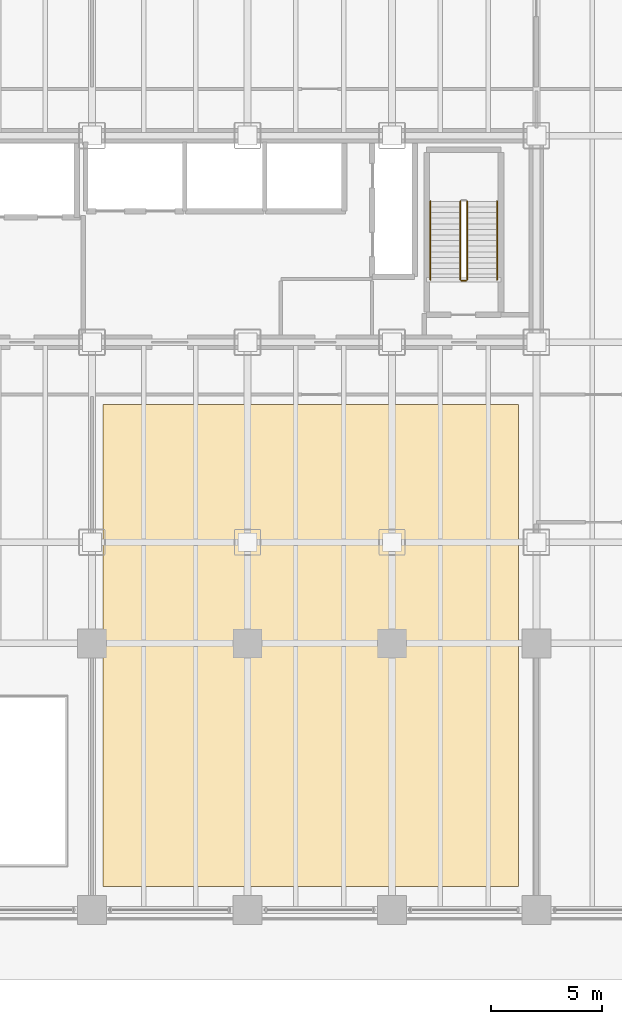
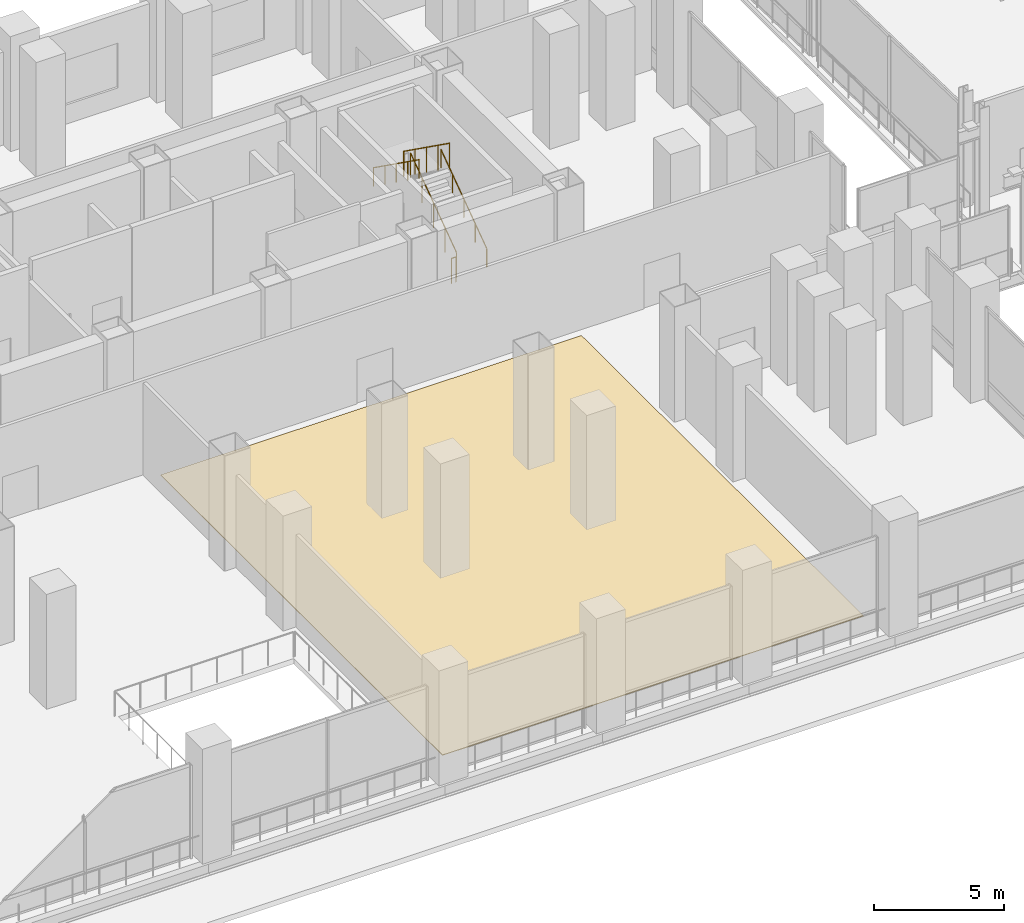
# One storey, part 26 of 32: 5 railings, 1 covering.
"""IFC4 building model written with IfcOpenShell, lengths in metres."""

from ifc_helpers import new_model, si_unit, direction, frame, origin, origin_2d, place, context, subcontext, project, spatial, polyline, circle, outline, extrude, material, layer, layer_set, type_object, element, save


model = new_model("IFC4")

# Units and contexts
model_context = context("Model", 3, precision=1e-05, world=origin(), true_north=direction((0.0, 1.0)))
body_context = subcontext(model_context, "Body", "Model", "MODEL_VIEW")
ifc_project = project(units=[si_unit("LENGTHUNIT", "METRE"), si_unit("AREAUNIT", "SQUARE_METRE"), si_unit("VOLUMEUNIT", "CUBIC_METRE"), si_unit("PLANEANGLEUNIT", "RADIAN"), si_unit("MASSUNIT", "GRAM", prefix="KILO")], contexts=[model_context])

# Site, building, storey
site_placement = place(None, origin())
site = spatial("IfcSite", under=ifc_project, at=site_placement, CompositionType="ELEMENT")
building_placement = place(site_placement, origin())
building = spatial("IfcBuilding", under=site, at=building_placement, Name="Noeulbin Bourse Tower", CompositionType="ELEMENT")
storey_placement = place(building_placement, frame((0.0, 0.0, 5.800048828125)))
storey = spatial("IfcBuildingStorey", under=building, at=storey_placement, Name="L02", CompositionType="ELEMENT", Elevation=5.800048828125)

# Covering
ifc_material_1 = material(Name="Honed Geumjeong Granite Paving", Category="masonry")
ifc_layer_1 = layer(ifc_material_1, 0.030029296875)
ifc_layer_set_1 = layer_set([ifc_layer_1], Name="Honed Geumjeong Granite Paving")
covering_type = type_object("IfcCoveringType", Name="COV-FLR-STN", PredefinedType="FLOORING", material=ifc_layer_set_1)
covering_placement = place(storey_placement, origin())
element("IfcCovering", 1, at=covering_placement, inside=storey, type_object=covering_type, Name="Granite Concourse Flooring L02", PredefinedType="FLOORING", context=body_context, shape_type="SweptSolid", body=[
    extrude(outline(polyline([(24.5, 4.5), (43.199951171875, 4.5), (43.199951171875, 26.199951171875), (24.5, 26.199951171875), (24.5, 4.5)])), origin(), (0.0, 0.0, 1.0), 0.030029296875),
])

# Railings
ifc_material_2 = material(Name="Painted Tubular Steel S355", Category="steel")
ifc_layer_2 = layer(ifc_material_2, 0.048095703125)
ifc_layer_set_2 = layer_set([ifc_layer_2], Name="Painted Tubular Steel S355")
railing_type_1 = type_object("IfcRailingType", Name="RLG-STR-GRD", PredefinedType="GUARDRAIL", material=ifc_layer_set_2)
railing_1_placement = place(storey_placement, frame((40.8798828125, 31.81005859375, 0.179931640625)))
element("IfcRailing", 2, at=railing_1_placement, inside=storey, type_object=railing_type_1, Name="L02 ST-2 stair guard 1", PredefinedType="GUARDRAIL", context=body_context, shape_type="SweptSolid", body=[
    extrude(circle(Radius=0.02392578125, at=origin_2d()), frame((0.0, 0.0, 1.17578125), z_axis=(0.0, 0.813718251284, 0.581259501021), x_axis=(-1.0, 0.0, 0.0)), (0.0, 0.0, 1.0), 4.33544921875),
    extrude(circle(Radius=0.02099609375, at=origin_2d()), origin(), (0.0, 0.0, 1.0), 1.15185546875),
    extrude(circle(Radius=0.02099609375, at=origin_2d()), frame((0.0, 0.8818359375, 0.6298828125)), (0.0, 0.0, 1.0), 1.15185546875),
    extrude(circle(Radius=0.02099609375, at=origin_2d()), frame((0.0, 1.763916015625, 1.260009765625)), (0.0, 0.0, 1.0), 1.15185546875),
    extrude(circle(Radius=0.02099609375, at=origin_2d()), frame((0.0, 2.64599609375, 1.89013671875)), (0.0, 0.0, 1.0), 1.15185546875),
    extrude(circle(Radius=0.02099609375, at=origin_2d()), frame((0.0, 3.52783203125, 2.52001953125)), (0.0, 0.0, 1.0), 1.15185546875),
])
railing_2_placement = place(storey_placement, frame((40.580078125, 35.337890625, 2.8798828125)))
element("IfcRailing", 3, at=railing_2_placement, inside=storey, type_object=railing_type_1, Name="L02 ST-2 stair guard 3", PredefinedType="GUARDRAIL", context=body_context, shape_type="SweptSolid", body=[
    extrude(circle(Radius=0.02392578125, at=origin_2d()), frame((0.0, 0.0, 1.17578125), z_axis=(0.0, -0.813718251284, 0.581259501021), x_axis=(1.0, 0.0, 0.0)), (0.0, 0.0, 1.0), 4.33544921875),
    extrude(circle(Radius=0.02099609375, at=origin_2d()), origin(), (0.0, 0.0, 1.0), 1.15185546875),
    extrude(circle(Radius=0.02099609375, at=origin_2d()), frame((0.0, -0.8818359375, 0.6298828125)), (0.0, 0.0, 1.0), 1.15185546875),
    extrude(circle(Radius=0.02099609375, at=origin_2d()), frame((0.0, -1.763916015625, 1.260009765625)), (0.0, 0.0, 1.0), 1.15185546875),
    extrude(circle(Radius=0.02099609375, at=origin_2d()), frame((0.0, -2.64599609375, 1.89013671875)), (0.0, 0.0, 1.0), 1.15185546875),
    extrude(circle(Radius=0.02099609375, at=origin_2d()), frame((0.0, -3.52783203125, 2.52001953125)), (0.0, 0.0, 1.0), 1.15185546875),
])
railing_3_placement = place(storey_placement, frame((40.830078125, 31.760009765625, 0.0)))
element("IfcRailing", 4, at=railing_3_placement, inside=storey, type_object=railing_type_1, Name="L02 ST-2 stair guard 4", PredefinedType="GUARDRAIL", context=body_context, shape_type="SweptSolid", body=[
    extrude(circle(Radius=0.02392578125, at=origin_2d()), frame((0.0, 0.0, 1.17578125), z_axis=(-1.0, 0.0, 0.0), x_axis=(0.0, -1.0, 0.0)), (0.0, 0.0, 1.0), 0.2001953125),
    extrude(circle(Radius=0.02099609375, at=origin_2d()), origin(), (0.0, 0.0, 1.0), 1.15185546875),
    extrude(circle(Radius=0.02099609375, at=origin_2d()), frame((-0.2001953125, 0.0, 0.0)), (0.0, 0.0, 1.0), 1.15185546875),
])
ifc_material_3 = material(Name="Brushed Stainless Steel 316", Category="steel")
ifc_layer_3 = layer(ifc_material_3, 0.048095703125)
ifc_layer_set_3 = layer_set([ifc_layer_3], Name="Brushed Stainless Steel 316")
railing_type_2 = type_object("IfcRailingType", Name="RLG-STR-HND", PredefinedType="HANDRAIL", material=ifc_layer_set_3)
railing_4_placement = place(storey_placement, frame((42.22998046875, 31.81005859375, 0.179931640625)))
element("IfcRailing", 5, at=railing_4_placement, inside=storey, type_object=railing_type_2, Name="L02 ST-2 stair handrail 1", PredefinedType="HANDRAIL", context=body_context, shape_type="SweptSolid", body=[
    extrude(circle(Radius=0.02392578125, at=origin_2d()), frame((0.0, 0.0, 0.8759765625), z_axis=(0.0, 0.813718251284, 0.581259501021), x_axis=(-1.0, 0.0, 0.0)), (0.0, 0.0, 1.0), 4.33544921875),
    extrude(circle(Radius=0.02099609375, at=origin_2d()), origin(), (0.0, 0.0, 1.0), 0.851806640625),
    extrude(circle(Radius=0.02099609375, at=origin_2d()), frame((0.0, 0.8818359375, 0.6298828125)), (0.0, 0.0, 1.0), 0.851806640625),
    extrude(circle(Radius=0.02099609375, at=origin_2d()), frame((0.0, 1.763916015625, 1.260009765625)), (0.0, 0.0, 1.0), 0.851806640625),
    extrude(circle(Radius=0.02099609375, at=origin_2d()), frame((0.0, 2.64599609375, 1.89013671875)), (0.0, 0.0, 1.0), 0.851806640625),
    extrude(circle(Radius=0.02099609375, at=origin_2d()), frame((0.0, 3.52783203125, 2.52001953125)), (0.0, 0.0, 1.0), 0.851806640625),
])
railing_5_placement = place(storey_placement, frame((39.22998046875, 35.337890625, 2.8798828125)))
element("IfcRailing", 6, at=railing_5_placement, inside=storey, type_object=railing_type_2, Name="L02 ST-2 stair handrail 2", PredefinedType="HANDRAIL", context=body_context, shape_type="SweptSolid", body=[
    extrude(circle(Radius=0.02392578125, at=origin_2d()), frame((0.0, 0.0, 0.8759765625), z_axis=(0.0, -0.813718251284, 0.581259501021), x_axis=(1.0, 0.0, 0.0)), (0.0, 0.0, 1.0), 4.33544921875),
    extrude(circle(Radius=0.02099609375, at=origin_2d()), origin(), (0.0, 0.0, 1.0), 0.851806640625),
    extrude(circle(Radius=0.02099609375, at=origin_2d()), frame((0.0, -0.8818359375, 0.6298828125)), (0.0, 0.0, 1.0), 0.851806640625),
    extrude(circle(Radius=0.02099609375, at=origin_2d()), frame((0.0, -1.763916015625, 1.260009765625)), (0.0, 0.0, 1.0), 0.851806640625),
    extrude(circle(Radius=0.02099609375, at=origin_2d()), frame((0.0, -2.64599609375, 1.89013671875)), (0.0, 0.0, 1.0), 0.851806640625),
    extrude(circle(Radius=0.02099609375, at=origin_2d()), frame((0.0, -3.52783203125, 2.52001953125)), (0.0, 0.0, 1.0), 0.851806640625),
])

save(model, "model.ifc")
